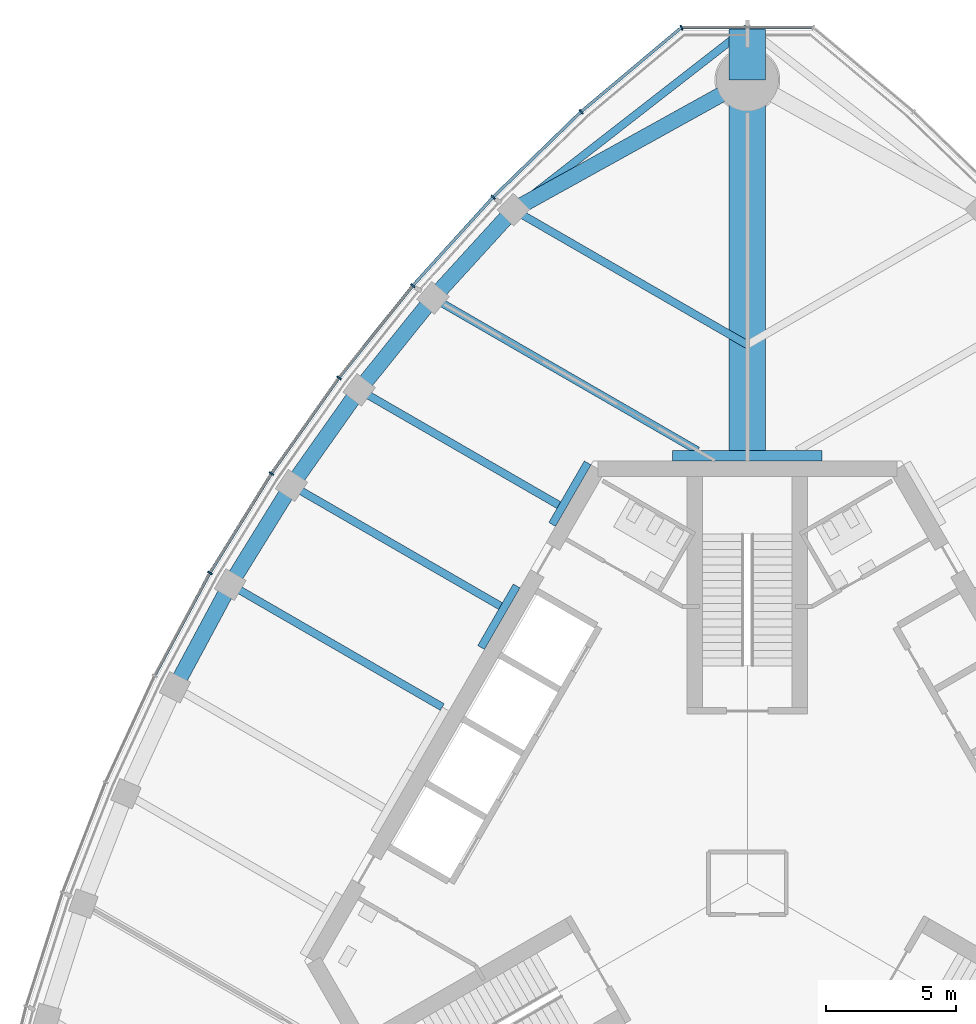
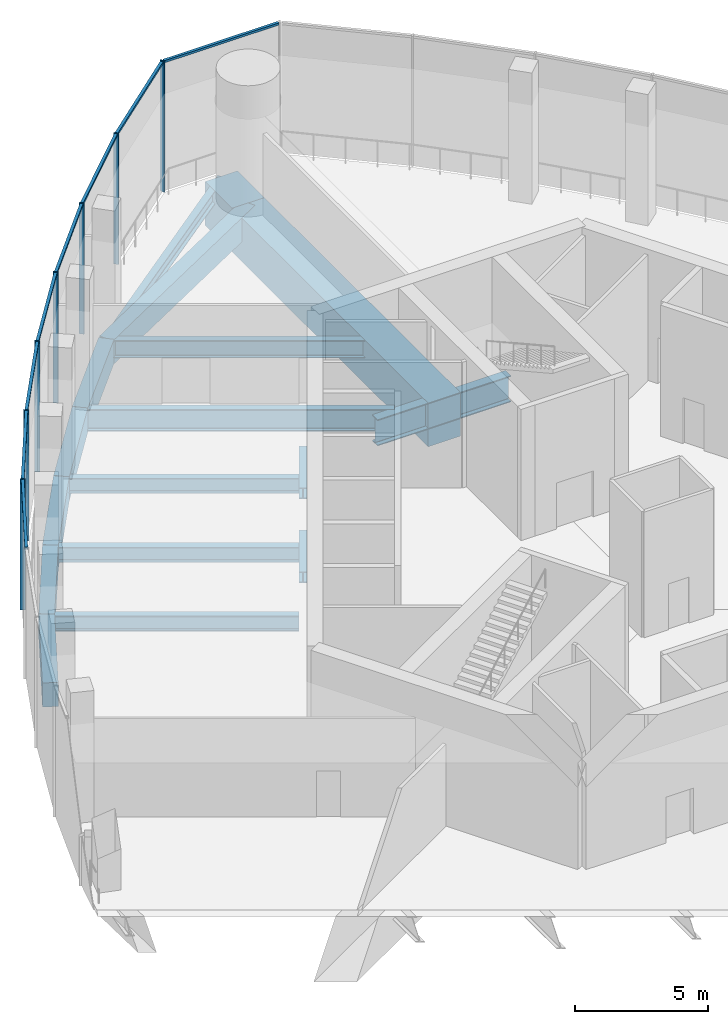
# One storey, part 6 of 15: 18 beams, 15 members, 2 elements without a shape of their own.
"""IFC4 building model written with IfcOpenShell, lengths in metres."""

from ifc_helpers import new_model, si_unit, direction, frame, origin, origin_2d, place, context, subcontext, project, spatial, rectangle, i_section, extrude, material, material_profile, profile_set, type_object, element, aggregate, save


model = new_model("IFC4")

# Units and contexts
model_context = context("Model", 3, precision=1e-05, world=origin(), true_north=direction((0.0, 1.0)))
body_context = subcontext(model_context, "Body", "Model", "MODEL_VIEW")
ifc_project = project(units=[si_unit("LENGTHUNIT", "METRE"), si_unit("AREAUNIT", "SQUARE_METRE"), si_unit("VOLUMEUNIT", "CUBIC_METRE"), si_unit("PLANEANGLEUNIT", "RADIAN"), si_unit("MASSUNIT", "GRAM", prefix="KILO")], contexts=[model_context])

# Site, building, storey
site_placement = place(None, origin())
site = spatial("IfcSite", under=ifc_project, at=site_placement, CompositionType="ELEMENT")
building_placement = place(site_placement, origin())
building = spatial("IfcBuilding", under=site, at=building_placement, Name="Trefoil Bronze Tower", CompositionType="ELEMENT")
storey_placement = place(building_placement, frame((0.0, 0.0, 322.5)))
storey = spatial("IfcBuildingStorey", under=building, at=storey_placement, Name="L74", CompositionType="ELEMENT", Elevation=322.5)

# Curtain wall, members
ifc_material_1 = material(Name="Tinted solar-control glass", Category="glass")
curtain_wall_type_1 = type_object("IfcCurtainWallType", Name="Bronze observation curtain wall", PredefinedType="USERDEFINED", material=ifc_material_1)
curtain_wall_1_placement = place(storey_placement, origin())
curtain_wall_1 = element("IfcCurtainWall", 1, at=curtain_wall_1_placement, inside=storey, type_object=curtain_wall_type_1, Name="CW-E L74 F3", ObjectType="CURTAIN WALL", PredefinedType="USERDEFINED")
ifc_material_2 = material(Name="Bronze-finish aluminium", Category="aluminium")
ifc_material_profile_1 = material_profile(ifc_material_2, rectangle(XDim=0.199951171875, YDim=0.06005859375, at=origin_2d()), Name="CW-E mullion")
ifc_profile_set_1 = profile_set([ifc_material_profile_1], Name="Bronze-finish aluminium")
member_type_1 = type_object("IfcMemberType", Name="Bronze observation curtain wall mullion", PredefinedType="MULLION", material=ifc_profile_set_1)
member_1_placement = place(storey_placement, frame((-9.8134765625, 26.478271484375, 0.0), z_axis=(0.0, 0.0, 1.0), x_axis=(0.719001349715, -0.695008675564, 0.0)))
member_1 = element("IfcMember", 2, at=member_1_placement, type_object=member_type_1, Name="CW-E L74 F3 mullion 2", PredefinedType="MULLION", context=body_context, shape_type="SweptSolid", body=[
    extrude(rectangle(XDim=0.199951171875, YDim=0.06005859375, at=origin_2d()), origin(), (0.0, 0.0, 1.0), 5.97998046875),
])
member_2_placement = place(storey_placement, frame((-12.912353515625, 23.064453125, 0.0), z_axis=(0.0, 0.0, 1.0), x_axis=(0.760781190165, -0.649008459646, 0.0)))
member_2 = element("IfcMember", 3, at=member_2_placement, type_object=member_type_1, Name="CW-E L74 F3 mullion 3", PredefinedType="MULLION", context=body_context, shape_type="SweptSolid", body=[
    extrude(rectangle(XDim=0.199951171875, YDim=0.06005859375, at=origin_2d()), origin(), (0.0, 0.0, 1.0), 5.97998046875),
])
member_3_placement = place(storey_placement, frame((-15.7626953125, 19.5068359375, 0.0), z_axis=(0.0, 0.0, 1.0), x_axis=(0.799096076136, -0.601203344222, 0.0)))
member_3 = element("IfcMember", 4, at=member_3_placement, type_object=member_type_1, Name="CW-E L74 F3 mullion 4", PredefinedType="MULLION", context=body_context, shape_type="SweptSolid", body=[
    extrude(rectangle(XDim=0.199951171875, YDim=0.06005859375, at=origin_2d()), origin(), (0.0, 0.0, 1.0), 5.97998046875),
])
member_4_placement = place(storey_placement, frame((-18.37158203125, 15.81005859375, 0.0), z_axis=(0.0, 0.0, 1.0), x_axis=(0.834159158089, -0.551523797289, 0.0)))
member_4 = element("IfcMember", 5, at=member_4_placement, type_object=member_type_1, Name="CW-E L74 F3 mullion 5", PredefinedType="MULLION", context=body_context, shape_type="SweptSolid", body=[
    extrude(rectangle(XDim=0.199951171875, YDim=0.06005859375, at=origin_2d()), origin(), (0.0, 0.0, 1.0), 5.97998046875),
])
member_5_placement = place(storey_placement, frame((-20.74267578125, 11.975830078125, 0.0), z_axis=(0.0, 0.0, 1.0), x_axis=(0.866025403784, -0.5, 0.0)))
member_5 = element("IfcMember", 6, at=member_5_placement, type_object=member_type_1, Name="CW-E L74 F3 mullion 6", PredefinedType="MULLION", context=body_context, shape_type="SweptSolid", body=[
    extrude(rectangle(XDim=0.199951171875, YDim=0.06005859375, at=origin_2d()), origin(), (0.0, 0.0, 1.0), 5.97998046875),
])
ifc_material_3 = material(Name="Bronze-finish aluminium", Category="aluminium")
ifc_material_profile_2 = material_profile(ifc_material_3, rectangle(XDim=0.1201171875, YDim=0.10009765625, at=origin_2d()), Name="CW-E transom")
ifc_profile_set_2 = profile_set([ifc_material_profile_2], Name="Bronze-finish aluminium")
member_type_2 = type_object("IfcMemberType", Name="Bronze observation curtain wall transom", PredefinedType="USERDEFINED", material=ifc_profile_set_2)
member_6_placement = place(storey_placement, frame((-6.442138671875, 29.75390625, 5.929931640625), z_axis=(-0.717207669236, -0.696859497452, 0.0), x_axis=(0.696859497452, -0.717207669236, 0.0)))
member_6 = element("IfcMember", 7, at=member_6_placement, type_object=member_type_2, Name="CW-E L74 F3 transom 1", ObjectType="TRANSOM", PredefinedType="USERDEFINED", context=body_context, shape_type="SweptSolid", body=[
    extrude(rectangle(XDim=0.1201171875, YDim=0.10009765625, at=origin_2d()), origin(), (0.0, 0.0, 1.0), 4.667236328125),
])
member_7_placement = place(storey_placement, frame((-9.835693359375, 26.453857421875, 5.929931640625), z_axis=(-0.672113749312, -0.74044791038, 0.0), x_axis=(0.74044791038, -0.672113749312, 0.0)))
member_7 = element("IfcMember", 8, at=member_7_placement, type_object=member_type_2, Name="CW-E L74 F3 transom 2", ObjectType="TRANSOM", PredefinedType="USERDEFINED", context=body_context, shape_type="SweptSolid", body=[
    extrude(rectangle(XDim=0.1201171875, YDim=0.10009765625, at=origin_2d()), origin(), (0.0, 0.0, 1.0), 4.54443359375),
])
member_8_placement = place(storey_placement, frame((-12.93310546875, 23.03857421875, 5.929931640625), z_axis=(-0.625291332688, -0.780391407734, 0.0), x_axis=(0.780391407734, -0.625291332688, 0.0)))
member_8 = element("IfcMember", 9, at=member_8_placement, type_object=member_type_2, Name="CW-E L74 F3 transom 3", ObjectType="TRANSOM", PredefinedType="USERDEFINED", context=body_context, shape_type="SweptSolid", body=[
    extrude(rectangle(XDim=0.1201171875, YDim=0.10009765625, at=origin_2d()), origin(), (0.0, 0.0, 1.0), 4.492431640625),
])
member_9_placement = place(storey_placement, frame((-15.78173828125, 19.47998046875, 5.929931640625), z_axis=(-0.576567106731, -0.817049797402, 0.0), x_axis=(0.817049797402, -0.576567106731, 0.0)))
member_9 = element("IfcMember", 10, at=member_9_placement, type_object=member_type_2, Name="CW-E L74 F3 transom 4", ObjectType="TRANSOM", PredefinedType="USERDEFINED", context=body_context, shape_type="SweptSolid", body=[
    extrude(rectangle(XDim=0.1201171875, YDim=0.10009765625, at=origin_2d()), origin(), (0.0, 0.0, 1.0), 4.458740234375),
])
member_10_placement = place(storey_placement, frame((-18.388916015625, 15.781982421875, 5.929931640625), z_axis=(-0.525966686785, -0.850505170115, 0.0), x_axis=(0.850505170115, -0.525966686785, 0.0)))
member_10 = element("IfcMember", 11, at=member_10_placement, type_object=member_type_2, Name="CW-E L74 F3 transom 5", ObjectType="TRANSOM", PredefinedType="USERDEFINED", context=body_context, shape_type="SweptSolid", body=[
    extrude(rectangle(XDim=0.1201171875, YDim=0.10009765625, at=origin_2d()), origin(), (0.0, 0.0, 1.0), 4.442138671875),
])
member_11_placement = place(storey_placement, frame((-20.75830078125, 11.94677734375, 5.929931640625), z_axis=(-0.473595015729, -0.880742732628, 0.0), x_axis=(0.880742732628, -0.473595015729, 0.0)))
member_11 = element("IfcMember", 12, at=member_11_placement, type_object=member_type_2, Name="CW-E L74 F3 transom 6", ObjectType="TRANSOM", PredefinedType="USERDEFINED", context=body_context, shape_type="SweptSolid", body=[
    extrude(rectangle(XDim=0.1201171875, YDim=0.10009765625, at=origin_2d()), origin(), (0.0, 0.0, 1.0), 4.442138671875),
])
aggregate(curtain_wall_1, [member_1, member_2, member_3, member_4, member_5, member_6, member_7, member_8, member_9, member_10, member_11])

ifc_material_4 = material(Name="Tinted solar-control glass", Category="glass")
curtain_wall_type_2 = type_object("IfcCurtainWallType", Name="Bronze rounded corner curtain wall", PredefinedType="USERDEFINED", material=ifc_material_4)
curtain_wall_2_placement = place(storey_placement, origin())
curtain_wall_2 = element("IfcCurtainWall", 13, at=curtain_wall_2_placement, inside=storey, type_object=curtain_wall_type_2, Name="CW-B L74 K2", ObjectType="CURTAIN WALL", PredefinedType="USERDEFINED")
ifc_material_5 = material(Name="Bronze-finish aluminium", Category="aluminium")
ifc_material_profile_3 = material_profile(ifc_material_5, rectangle(XDim=0.199951171875, YDim=0.06005859375, at=origin_2d()), Name="CW-B mullion")
ifc_profile_set_3 = profile_set([ifc_material_profile_3], Name="Bronze-finish aluminium")
member_type_3 = type_object("IfcMemberType", Name="Bronze rounded corner curtain wall mullion", PredefinedType="MULLION", material=ifc_profile_set_3)
member_12_placement = place(storey_placement, frame((-2.542236328125, 33.021484375, 0.0), z_axis=(0.0, 0.0, 1.0), x_axis=(0.342020143326, -0.939692620786, 0.0)))
member_12 = element("IfcMember", 14, at=member_12_placement, type_object=member_type_3, Name="CW-B L74 K2 mullion 3", PredefinedType="MULLION", context=body_context, shape_type="SweptSolid", body=[
    extrude(rectangle(XDim=0.199951171875, YDim=0.06005859375, at=origin_2d()), origin(), (0.0, 0.0, 1.0), 5.97998046875),
])
member_13_placement = place(storey_placement, frame((-6.4150390625, 29.77978515625, 0.0), z_axis=(0.0, 0.0, 1.0), x_axis=(0.642787609687, -0.766044443119, 0.0)))
member_13 = element("IfcMember", 15, at=member_13_placement, type_object=member_type_3, Name="CW-B L74 K2 mullion 4", PredefinedType="MULLION", context=body_context, shape_type="SweptSolid", body=[
    extrude(rectangle(XDim=0.199951171875, YDim=0.06005859375, at=origin_2d()), origin(), (0.0, 0.0, 1.0), 5.97998046875),
])
ifc_material_6 = material(Name="Bronze-finish aluminium", Category="aluminium")
ifc_material_profile_4 = material_profile(ifc_material_6, rectangle(XDim=0.1201171875, YDim=0.10009765625, at=origin_2d()), Name="CW-B transom")
ifc_profile_set_4 = profile_set([ifc_material_profile_4], Name="Bronze-finish aluminium")
member_type_4 = type_object("IfcMemberType", Name="Bronze rounded corner curtain wall transom", PredefinedType="USERDEFINED", material=ifc_profile_set_4)
member_14_placement = place(storey_placement, frame((2.47802734375, 33.027587890625, 5.929931640625), z_axis=(-1.0, 0.0, 0.0), x_axis=(0.0, -1.0, 0.0)))
member_14 = element("IfcMember", 16, at=member_14_placement, type_object=member_type_4, Name="CW-B L74 K2 transom 2", ObjectType="TRANSOM", PredefinedType="USERDEFINED", context=body_context, shape_type="SweptSolid", body=[
    extrude(rectangle(XDim=0.1201171875, YDim=0.10009765625, at=origin_2d()), origin(), (0.0, 0.0, 1.0), 4.9560546875),
])
member_15_placement = place(storey_placement, frame((-2.595458984375, 32.98486328125, 5.929931640625), z_axis=(-0.766040522511, -0.642792282056, 0.0), x_axis=(0.642792282056, -0.766040522511, 0.0)))
member_15 = element("IfcMember", 17, at=member_15_placement, type_object=member_type_4, Name="CW-B L74 K2 transom 3", ObjectType="TRANSOM", PredefinedType="USERDEFINED", context=body_context, shape_type="SweptSolid", body=[
    extrude(rectangle(XDim=0.1201171875, YDim=0.10009765625, at=origin_2d()), origin(), (0.0, 0.0, 1.0), 4.9560546875),
])
aggregate(curtain_wall_2, [member_12, member_13, member_14, member_15])

# Beams
ifc_material_7 = material(Name="Steel C355", Category="steel")
ifc_material_profile_5 = material_profile(ifc_material_7, i_section(OverallWidth=0.300048828125, OverallDepth=0.5, WebThickness=0.014404296875, FlangeThickness=0.028076171875, FilletRadius=0.027099609375, at=origin_2d()), Name="HEB 500")
ifc_profile_set_5 = profile_set([ifc_material_profile_5], Name="Steel C355")
beam_type_1 = type_object("IfcBeamType", Name="Core seat beam HEB 500", PredefinedType="BEAM", material=ifc_profile_set_5)
for number, where, z_axis, x_axis, name in (
    (18, (-6.163330078125, 16.22509765625, -0.449951171875), (-0.499969057507, -0.866043267704, 0.0), (0.866043267704, -0.499969057507, 0.0), "Core seat beam F3/-2 L74"),
    (19, (-8.905517578125, 11.47509765625, -0.449951171875), (-0.500035825175, -0.866004719122, 0.0), (0.866004719122, -0.500035825175, 0.0), "Core seat beam F3/-1 L74"),
):
    element("IfcBeam", number, at=place(storey_placement, frame(where, z_axis=z_axis, x_axis=x_axis)), inside=storey, type_object=beam_type_1, Name=name, PredefinedType="BEAM", context=body_context, shape_type="SweptSolid", body=[
        extrude(i_section(OverallWidth=0.300048828125, OverallDepth=0.5, WebThickness=0.014404296875, FlangeThickness=0.028076171875, FilletRadius=0.027099609375, at=origin_2d()), origin(), (0.0, 0.0, 1.0), 2.742431640625),
    ])
ifc_material_8 = material(Name="Steel C355", Category="steel")
ifc_material_profile_6 = material_profile(ifc_material_8, i_section(OverallWidth=0.39990234375, OverallDepth=1.199951171875, WebThickness=0.02001953125, FlangeThickness=0.0400390625, FilletRadius=0.010009765625, at=origin_2d()), Name="WPG 1200")
ifc_profile_set_6 = profile_set([ifc_material_profile_6], Name="Steel C355")
beam_type_2 = type_object("IfcBeamType", Name="Core seat beam WPG 1200", PredefinedType="BEAM", material=ifc_profile_set_6)
for number, where, z_axis, x_axis, name in (
    (20, (2.88671875, 16.5, -0.800048828125), (-1.0, 0.0, 0.0), (0.0, -1.0, 0.0), "Core seat beam F2/+3 L74"),
    (21, (0.0, 16.5, -0.800048828125), (-1.0, 0.0, 0.0), (0.0, -1.0, 0.0), "Core seat beam F3/-3 L74"),
):
    element("IfcBeam", number, at=place(storey_placement, frame(where, z_axis=z_axis, x_axis=x_axis)), inside=storey, type_object=beam_type_2, Name=name, PredefinedType="BEAM", context=body_context, shape_type="SweptSolid", body=[
        extrude(i_section(OverallWidth=0.39990234375, OverallDepth=1.199951171875, WebThickness=0.02001953125, FlangeThickness=0.0400390625, FilletRadius=0.010009765625, at=origin_2d()), origin(), (0.0, 0.0, 1.0), 2.88671875),
    ])
ifc_material_9 = material(Name="Concrete B80", Category="concrete")
ifc_material_profile_7 = material_profile(ifc_material_9, rectangle(XDim=1.39990234375, YDim=2.0, at=origin_2d()), Name="RC 1400x2000")
ifc_profile_set_7 = profile_set([ifc_material_profile_7], Name="Concrete B80")
beam_type_3 = type_object("IfcBeamType", Name="Corner cantilever RC 1400x2000", PredefinedType="BEAM", material=ifc_profile_set_7)
beam_1_placement = place(storey_placement, frame((0.0, 31.0, -1.199951171875), z_axis=(0.0, 1.0, 0.0), x_axis=(-1.0, 0.0, 0.0)))
element("IfcBeam", 22, at=beam_1_placement, inside=storey, type_object=beam_type_3, Name="Corner cantilever K2 L74", PredefinedType="BEAM", context=body_context, shape_type="SweptSolid", body=[
    extrude(rectangle(XDim=1.39990234375, YDim=2.0, at=origin_2d()), origin(), (0.0, 0.0, 1.0), 2.019775390625),
])
ifc_material_10 = material(Name="Steel C355", Category="steel")
ifc_material_profile_8 = material_profile(ifc_material_10, i_section(OverallWidth=0.300048828125, OverallDepth=0.60009765625, WebThickness=0.015380859375, FlangeThickness=0.030029296875, FilletRadius=0.027099609375, at=origin_2d()), Name="HEB 600")
ifc_profile_set_8 = profile_set([ifc_material_profile_8], Name="Steel C355")
beam_type_4 = type_object("IfcBeamType", Name="Corner edge beam HEB 600", PredefinedType="BEAM", material=ifc_profile_set_8)
beam_2_placement = place(storey_placement, frame((-9.02734375, 25.99658203125, -0.5), z_axis=(0.789270604977, 0.614045529354, 0.0), x_axis=(-0.614045529354, 0.789270604977, 0.0)))
element("IfcBeam", 23, at=beam_2_placement, inside=storey, type_object=beam_type_4, Name="Corner edge beam F3B L74", PredefinedType="BEAM", context=body_context, shape_type="SweptSolid", body=[
    extrude(i_section(OverallWidth=0.300048828125, OverallDepth=0.60009765625, WebThickness=0.015380859375, FlangeThickness=0.030029296875, FilletRadius=0.027099609375, at=origin_2d()), origin(), (0.0, 0.0, 1.0), 11.4375),
])
ifc_material_11 = material(Name="Concrete B80", Category="concrete")
ifc_material_profile_9 = material_profile(ifc_material_11, rectangle(XDim=1.39990234375, YDim=2.0, at=origin_2d()), Name="RC 1400x2000")
ifc_profile_set_9 = profile_set([ifc_material_profile_9], Name="Concrete B80")
beam_type_5 = type_object("IfcBeamType", Name="Corner girder RC 1400x2000", PredefinedType="BEAM", material=ifc_profile_set_9)
beam_3_placement = place(storey_placement, frame((0.0, 16.300048828125, -1.199951171875), z_axis=(0.0, 1.0, 0.0), x_axis=(-1.0, 0.0, 0.0)))
element("IfcBeam", 24, at=beam_3_placement, inside=storey, type_object=beam_type_5, Name="Corner girder K2 L74", PredefinedType="BEAM", context=body_context, shape_type="SweptSolid", body=[
    extrude(rectangle(XDim=1.39990234375, YDim=2.0, at=origin_2d()), origin(), (0.0, 0.0, 1.0), 14.699951171875),
])
ifc_material_12 = material(Name="Concrete B80", Category="concrete")
ifc_material_profile_10 = material_profile(ifc_material_12, rectangle(XDim=0.60009765625, YDim=1.10009765625, at=origin_2d()), Name="RC 600x1100")
ifc_profile_set_10 = profile_set([ifc_material_profile_10], Name="Concrete B80")
beam_type_6 = type_object("IfcBeamType", Name="End spandrel beam RC 600x1100", PredefinedType="SPANDREL", material=ifc_profile_set_10)
beam_4_placement = place(storey_placement, frame((0.0, 31.0, -0.75), z_axis=(-0.874641085074, -0.484771051426, 0.0), x_axis=(0.484771051426, -0.874641085074, 0.0)))
element("IfcBeam", 25, at=beam_4_placement, inside=storey, type_object=beam_type_6, Name="Spandrel F3.1 L74", PredefinedType="SPANDREL", context=body_context, shape_type="SweptSolid", body=[
    extrude(rectangle(XDim=0.60009765625, YDim=1.10009765625, at=origin_2d()), origin(), (0.0, 0.0, 1.0), 10.3212890625),
])
ifc_material_13 = material(Name="Steel C355", Category="steel")
ifc_material_profile_11 = material_profile(ifc_material_13, i_section(OverallWidth=0.300048828125, OverallDepth=1.0, WebThickness=0.01904296875, FlangeThickness=0.035888671875, FilletRadius=0.030029296875, at=origin_2d()), Name="HEB 1000")
ifc_profile_set_11 = profile_set([ifc_material_profile_11], Name="Steel C355")
beam_type_7 = type_object("IfcBeamType", Name="Floor beam HEB 1000", PredefinedType="BEAM", material=ifc_profile_set_11)
beam_5_placement = place(storey_placement, frame((-12.131591796875, 22.5927734375, -0.699951171875), z_axis=(0.866017581749, -0.500013547917, 0.0), x_axis=(0.500013547917, 0.866017581749, 0.0)))
element("IfcBeam", 26, at=beam_5_placement, inside=storey, type_object=beam_type_7, Name="Floor beam F3/-3 L74", PredefinedType="BEAM", context=body_context, shape_type="SweptSolid", body=[
    extrude(i_section(OverallWidth=0.300048828125, OverallDepth=1.0, WebThickness=0.01904296875, FlangeThickness=0.035888671875, FilletRadius=0.030029296875, at=origin_2d()), origin(), (0.0, 0.0, 1.0), 11.785400390625),
])
ifc_material_14 = material(Name="Steel C355", Category="steel")
ifc_material_profile_12 = material_profile(ifc_material_14, i_section(OverallWidth=0.300048828125, OverallDepth=0.699951171875, WebThickness=0.01708984375, FlangeThickness=0.031982421875, FilletRadius=0.027099609375, at=origin_2d()), Name="HEB 700")
ifc_profile_set_12 = profile_set([ifc_material_profile_12], Name="Steel C355")
beam_type_8 = type_object("IfcBeamType", Name="Floor beam HEB 700", PredefinedType="BEAM", material=ifc_profile_set_12)
beam_6_placement = place(storey_placement, frame((-14.98486328125, 19.043701171875, -0.550048828125), z_axis=(0.866034827411, -0.499983677445, 0.0), x_axis=(0.499983677445, 0.866034827411, 0.0)))
element("IfcBeam", 27, at=beam_6_placement, inside=storey, type_object=beam_type_8, Name="Floor beam F3/-2 L74", PredefinedType="BEAM", context=body_context, shape_type="SweptSolid", body=[
    extrude(i_section(OverallWidth=0.300048828125, OverallDepth=0.699951171875, WebThickness=0.01708984375, FlangeThickness=0.031982421875, FilletRadius=0.027099609375, at=origin_2d()), origin(), (0.0, 0.0, 1.0), 8.899169921875),
])
beam_7_placement = place(storey_placement, frame((-17.593994140625, 15.35400390625, -0.550048828125), z_axis=(0.866026261222, -0.499998514871, 0.0), x_axis=(0.499998514871, 0.866026261222, 0.0)))
element("IfcBeam", 28, at=beam_7_placement, inside=storey, type_object=beam_type_8, Name="Floor beam F3/-1 L74", PredefinedType="BEAM", context=body_context, shape_type="SweptSolid", body=[
    extrude(i_section(OverallWidth=0.300048828125, OverallDepth=0.699951171875, WebThickness=0.01708984375, FlangeThickness=0.031982421875, FilletRadius=0.027099609375, at=origin_2d()), origin(), (0.0, 0.0, 1.0), 9.31396484375),
])
beam_8_placement = place(storey_placement, frame((-19.96337890625, 11.52587890625, -0.550048828125), z_axis=(0.866029875693, -0.499992254348, 0.0), x_axis=(0.499992254348, 0.866029875693, 0.0)))
element("IfcBeam", 29, at=beam_8_placement, inside=storey, type_object=beam_type_8, Name="Floor beam F3/+0 L74", PredefinedType="BEAM", context=body_context, shape_type="SweptSolid", body=[
    extrude(i_section(OverallWidth=0.300048828125, OverallDepth=0.699951171875, WebThickness=0.01708984375, FlangeThickness=0.031982421875, FilletRadius=0.027099609375, at=origin_2d()), origin(), (0.0, 0.0, 1.0), 9.451904296875),
])
ifc_material_15 = material(Name="Steel C355", Category="steel")
ifc_material_profile_13 = material_profile(ifc_material_15, i_section(OverallWidth=0.300048828125, OverallDepth=0.800048828125, WebThickness=0.017578125, FlangeThickness=0.032958984375, FilletRadius=0.030029296875, at=origin_2d()), Name="HEB 800")
ifc_profile_set_13 = profile_set([ifc_material_profile_13], Name="Steel C355")
beam_type_9 = type_object("IfcBeamType", Name="Floor beam HEB 800", PredefinedType="BEAM", material=ifc_profile_set_13)
beam_9_placement = place(storey_placement, frame((-9.02734375, 25.99658203125, -0.60009765625), z_axis=(0.866026453994, -0.499998180979, 0.0), x_axis=(0.499998180979, 0.866026453994, 0.0)))
element("IfcBeam", 30, at=beam_9_placement, inside=storey, type_object=beam_type_9, Name="Floor beam F3/-4 L74", PredefinedType="BEAM", context=body_context, shape_type="SweptSolid", body=[
    extrude(i_section(OverallWidth=0.300048828125, OverallDepth=0.800048828125, WebThickness=0.017578125, FlangeThickness=0.032958984375, FilletRadius=0.030029296875, at=origin_2d()), origin(), (0.0, 0.0, 1.0), 10.423828125),
])
ifc_material_16 = material(Name="Concrete B80", Category="concrete")
ifc_material_profile_14 = material_profile(ifc_material_16, rectangle(XDim=0.60009765625, YDim=1.10009765625, at=origin_2d()), Name="RC 600x1100")
ifc_profile_set_14 = profile_set([ifc_material_profile_14], Name="Concrete B80")
beam_type_10 = type_object("IfcBeamType", Name="Spandrel beam RC 600x1100", PredefinedType="SPANDREL", material=ifc_profile_set_14)
beam_10_placement = place(storey_placement, frame((-9.02734375, 25.99658203125, -0.75), z_axis=(-0.673845775847, -0.738872025707, 0.0), x_axis=(0.738872025707, -0.673845775847, 0.0)))
element("IfcBeam", 31, at=beam_10_placement, inside=storey, type_object=beam_type_10, Name="Spandrel F3.2 L74", PredefinedType="SPANDREL", context=body_context, shape_type="SweptSolid", body=[
    extrude(rectangle(XDim=0.60009765625, YDim=1.10009765625, at=origin_2d()), origin(), (0.0, 0.0, 1.0), 4.606689453125),
])
beam_11_placement = place(storey_placement, frame((-12.131591796875, 22.5927734375, -0.75), z_axis=(-0.626569682592, -0.779365403939, 0.0), x_axis=(0.779365403939, -0.626569682592, 0.0)))
element("IfcBeam", 32, at=beam_11_placement, inside=storey, type_object=beam_type_10, Name="Spandrel F3.3 L74", PredefinedType="SPANDREL", context=body_context, shape_type="SweptSolid", body=[
    extrude(rectangle(XDim=0.60009765625, YDim=1.10009765625, at=origin_2d()), origin(), (0.0, 0.0, 1.0), 4.5537109375),
])
beam_12_placement = place(storey_placement, frame((-14.98486328125, 19.043701171875, -0.75), z_axis=(-0.577368105169, -0.816483968693, 0.0), x_axis=(0.816483968693, -0.577368105169, 0.0)))
element("IfcBeam", 33, at=beam_12_placement, inside=storey, type_object=beam_type_10, Name="Spandrel F3.4 L74", PredefinedType="SPANDREL", context=body_context, shape_type="SweptSolid", body=[
    extrude(rectangle(XDim=0.60009765625, YDim=1.10009765625, at=origin_2d()), origin(), (0.0, 0.0, 1.0), 4.51904296875),
])
beam_13_placement = place(storey_placement, frame((-17.593994140625, 15.35400390625, -0.75), z_axis=(-0.526289271956, -0.850305593433, 0.0), x_axis=(0.850305593433, -0.526289271956, 0.0)))
element("IfcBeam", 34, at=beam_13_placement, inside=storey, type_object=beam_type_10, Name="Spandrel F3.5 L74", PredefinedType="SPANDREL", context=body_context, shape_type="SweptSolid", body=[
    extrude(rectangle(XDim=0.60009765625, YDim=1.10009765625, at=origin_2d()), origin(), (0.0, 0.0, 1.0), 4.501953125),
])
beam_14_placement = place(storey_placement, frame((-19.96337890625, 11.52587890625, -0.75), z_axis=(-0.473245885676, -0.880930378458, 0.0), x_axis=(0.880930378458, -0.473245885676, 0.0)))
element("IfcBeam", 35, at=beam_14_placement, inside=storey, type_object=beam_type_10, Name="Spandrel F3.6 L74", PredefinedType="SPANDREL", context=body_context, shape_type="SweptSolid", body=[
    extrude(rectangle(XDim=0.60009765625, YDim=1.10009765625, at=origin_2d()), origin(), (0.0, 0.0, 1.0), 4.502197265625),
])

save(model, "model.ifc")
